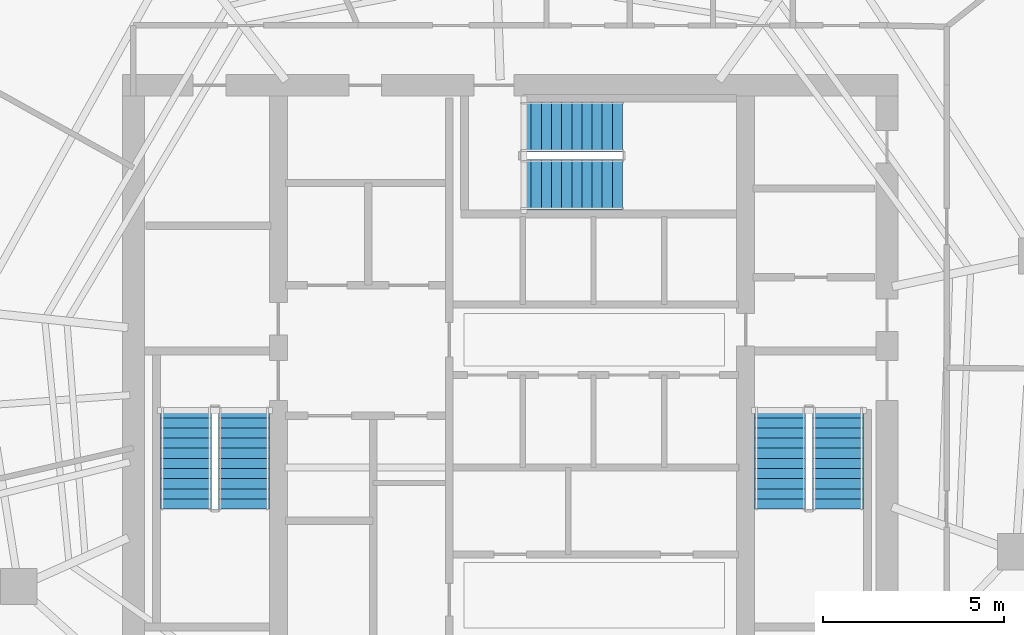
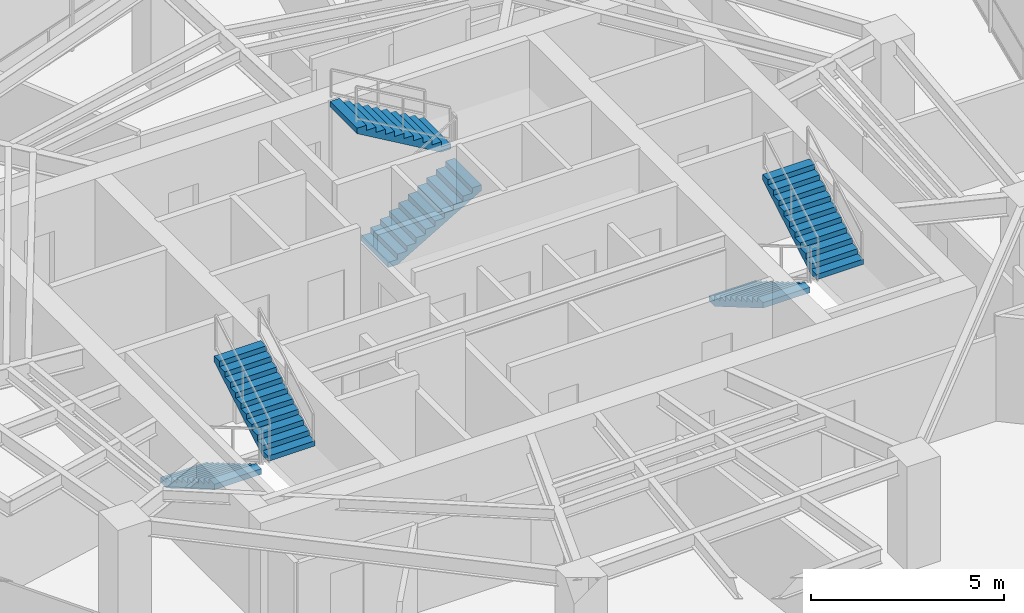
# One storey, part 18 of 20: 6 stair flights, 3 elements without a shape of their own.
"""IFC4 building model written with IfcOpenShell, lengths in metres."""

from ifc_helpers import new_model, si_unit, direction, frame, origin, place, context, subcontext, project, spatial, polyline, outline, extrude, material, type_object, element, aggregate, save


model = new_model("IFC4")

# Units and contexts
model_context = context("Model", 3, precision=1e-05, world=origin(), true_north=direction((0.0, 1.0)))
body_context = subcontext(model_context, "Body", "Model", "MODEL_VIEW")
ifc_project = project(units=[si_unit("LENGTHUNIT", "METRE"), si_unit("AREAUNIT", "SQUARE_METRE"), si_unit("VOLUMEUNIT", "CUBIC_METRE"), si_unit("PLANEANGLEUNIT", "RADIAN"), si_unit("MASSUNIT", "GRAM", prefix="KILO")], contexts=[model_context])

# Site, building, storey
site_placement = place(None, origin())
site = spatial("IfcSite", under=ifc_project, at=site_placement, CompositionType="ELEMENT")
building_placement = place(site_placement, origin())
building = spatial("IfcBuilding", under=site, at=building_placement, Name="Qarnah Convention Tower", CompositionType="ELEMENT")
storey_placement = place(building_placement, frame((0.0, 0.0, 136.5)))
storey = spatial("IfcBuildingStorey", under=building, at=storey_placement, Name="L36", CompositionType="ELEMENT", Elevation=136.5)

# Stair, stair flights
ifc_material = material(Name="Concrete C50/60", Category="concrete")
stair_type = type_object("IfcStairType", Name="STR-OFF", PredefinedType="HALF_TURN_STAIR", material=ifc_material)
stair_1_placement = place(storey_placement, origin())
stair_1 = element("IfcStair", 1, at=stair_1_placement, inside=storey, type_object=stair_type, Name="L36 Core exit stair ST-1", PredefinedType="HALF_TURN_STAIR")
stair_flight_type = type_object("IfcStairFlightType", Name="FLT-OFF", PredefinedType="STRAIGHT", material=ifc_material)
stair_flight_1_placement = place(storey_placement, frame((28.25, 25.300048828125, 0.0), z_axis=(0.0, 0.0, 1.0), x_axis=(0.0, -1.0, 0.0)))
stair_flight_1 = element("IfcStairFlight", 2, at=stair_flight_1_placement, type_object=stair_flight_type, Name="ST-1 flight 1", NumberOfRisers=11, NumberOfTreads=10, PredefinedType="STRAIGHT", RiserHeight=0.163636364, TreadLength=0.28, context=body_context, shape_type="SweptSolid", body=[
    extrude(outline(polyline([(0.0, 0.0), (0.0, 0.16357421875), (0.280029296875, 0.16357421875), (0.280029296875, 0.327392578125), (0.56005859375, 0.327392578125), (0.56005859375, 0.490966796875), (0.840087890625, 0.490966796875), (0.840087890625, 0.654541015625), (1.1201171875, 0.654541015625), (1.1201171875, 0.818115234375), (1.39990234375, 0.818115234375), (1.39990234375, 0.98193359375), (1.679931640625, 0.98193359375), (1.679931640625, 1.1455078125), (1.9599609375, 1.1455078125), (1.9599609375, 1.30908203125), (2.239990234375, 1.30908203125), (2.239990234375, 1.47265625), (2.52001953125, 1.47265625), (2.52001953125, 1.636474609375), (2.800048828125, 1.636474609375), (2.800048828125, 1.800048828125), (2.800048828125, 1.462646484375), (0.297119140625, 0.0), (0.0, 0.0)])), frame((0.0, 0.699951171875, 0.0), z_axis=(0.0, -1.0, 0.0), x_axis=(1.0, 0.0, 0.0)), (0.0, 0.0, 1.0), 1.39990234375),
])
stair_flight_2_placement = place(storey_placement, frame((29.85009765625, 22.5, 1.800048828125), z_axis=(0.0, 0.0, 1.0), x_axis=(0.0, 1.0, 0.0)))
stair_flight_2 = element("IfcStairFlight", 3, at=stair_flight_2_placement, type_object=stair_flight_type, Name="ST-1 flight 2", NumberOfRisers=11, NumberOfTreads=10, PredefinedType="STRAIGHT", RiserHeight=0.163636364, TreadLength=0.28, context=body_context, shape_type="SweptSolid", body=[
    extrude(outline(polyline([(0.0, 0.0), (0.0, 0.16357421875), (0.280029296875, 0.16357421875), (0.280029296875, 0.327392578125), (0.56005859375, 0.327392578125), (0.56005859375, 0.490966796875), (0.840087890625, 0.490966796875), (0.840087890625, 0.654541015625), (1.1201171875, 0.654541015625), (1.1201171875, 0.818115234375), (1.39990234375, 0.818115234375), (1.39990234375, 0.98193359375), (1.679931640625, 0.98193359375), (1.679931640625, 1.1455078125), (1.9599609375, 1.1455078125), (1.9599609375, 1.30908203125), (2.239990234375, 1.30908203125), (2.239990234375, 1.47265625), (2.52001953125, 1.47265625), (2.52001953125, 1.636474609375), (2.800048828125, 1.636474609375), (2.800048828125, 1.800048828125), (2.800048828125, 1.462646484375), (0.297119140625, 0.0), (0.0, 0.0)])), frame((0.0, 0.699951171875, 0.0), z_axis=(0.0, -1.0, 0.0), x_axis=(1.0, 0.0, 0.0)), (0.0, 0.0, 1.0), 1.39990234375),
])
aggregate(stair_1, [stair_flight_1, stair_flight_2])

stair_2_placement = place(storey_placement, origin())
stair_2 = element("IfcStair", 4, at=stair_2_placement, inside=storey, type_object=stair_type, Name="L36 Core exit stair ST-2", PredefinedType="HALF_TURN_STAIR")
stair_flight_3_placement = place(storey_placement, frame((44.64990234375, 25.300048828125, 0.0), z_axis=(0.0, 0.0, 1.0), x_axis=(0.0, -1.0, 0.0)))
stair_flight_3 = element("IfcStairFlight", 5, at=stair_flight_3_placement, type_object=stair_flight_type, Name="ST-2 flight 1", NumberOfRisers=11, NumberOfTreads=10, PredefinedType="STRAIGHT", RiserHeight=0.163636364, TreadLength=0.28, context=body_context, shape_type="SweptSolid", body=[
    extrude(outline(polyline([(0.0, 0.0), (0.0, 0.16357421875), (0.280029296875, 0.16357421875), (0.280029296875, 0.327392578125), (0.56005859375, 0.327392578125), (0.56005859375, 0.490966796875), (0.840087890625, 0.490966796875), (0.840087890625, 0.654541015625), (1.1201171875, 0.654541015625), (1.1201171875, 0.818115234375), (1.39990234375, 0.818115234375), (1.39990234375, 0.98193359375), (1.679931640625, 0.98193359375), (1.679931640625, 1.1455078125), (1.9599609375, 1.1455078125), (1.9599609375, 1.30908203125), (2.239990234375, 1.30908203125), (2.239990234375, 1.47265625), (2.52001953125, 1.47265625), (2.52001953125, 1.636474609375), (2.800048828125, 1.636474609375), (2.800048828125, 1.800048828125), (2.800048828125, 1.462646484375), (0.297119140625, 0.0), (0.0, 0.0)])), frame((0.0, 0.699951171875, 0.0), z_axis=(0.0, -1.0, 0.0), x_axis=(1.0, 0.0, 0.0)), (0.0, 0.0, 1.0), 1.39990234375),
])
stair_flight_4_placement = place(storey_placement, frame((46.25, 22.5, 1.800048828125), z_axis=(0.0, 0.0, 1.0), x_axis=(0.0, 1.0, 0.0)))
stair_flight_4 = element("IfcStairFlight", 6, at=stair_flight_4_placement, type_object=stair_flight_type, Name="ST-2 flight 2", NumberOfRisers=11, NumberOfTreads=10, PredefinedType="STRAIGHT", RiserHeight=0.163636364, TreadLength=0.28, context=body_context, shape_type="SweptSolid", body=[
    extrude(outline(polyline([(0.0, 0.0), (0.0, 0.16357421875), (0.280029296875, 0.16357421875), (0.280029296875, 0.327392578125), (0.56005859375, 0.327392578125), (0.56005859375, 0.490966796875), (0.840087890625, 0.490966796875), (0.840087890625, 0.654541015625), (1.1201171875, 0.654541015625), (1.1201171875, 0.818115234375), (1.39990234375, 0.818115234375), (1.39990234375, 0.98193359375), (1.679931640625, 0.98193359375), (1.679931640625, 1.1455078125), (1.9599609375, 1.1455078125), (1.9599609375, 1.30908203125), (2.239990234375, 1.30908203125), (2.239990234375, 1.47265625), (2.52001953125, 1.47265625), (2.52001953125, 1.636474609375), (2.800048828125, 1.636474609375), (2.800048828125, 1.800048828125), (2.800048828125, 1.462646484375), (0.297119140625, 0.0), (0.0, 0.0)])), frame((0.0, 0.699951171875, 0.0), z_axis=(0.0, -1.0, 0.0), x_axis=(1.0, 0.0, 0.0)), (0.0, 0.0, 1.0), 1.39990234375),
])
aggregate(stair_2, [stair_flight_3, stair_flight_4])

stair_3_placement = place(storey_placement, origin())
stair_3 = element("IfcStair", 7, at=stair_3_placement, inside=storey, type_object=stair_type, Name="L36 Core exit stair ST-3", PredefinedType="HALF_TURN_STAIR")
stair_flight_5_placement = place(storey_placement, frame((37.5, 31.449951171875, 0.0), z_axis=(0.0, 0.0, 1.0), x_axis=(1.0, 0.0, 0.0)))
stair_flight_5 = element("IfcStairFlight", 8, at=stair_flight_5_placement, type_object=stair_flight_type, Name="ST-3 flight 1", NumberOfRisers=11, NumberOfTreads=10, PredefinedType="STRAIGHT", RiserHeight=0.163636364, TreadLength=0.28, context=body_context, shape_type="SweptSolid", body=[
    extrude(outline(polyline([(0.0, 0.0), (0.0, 0.16357421875), (0.280029296875, 0.16357421875), (0.280029296875, 0.327392578125), (0.56005859375, 0.327392578125), (0.56005859375, 0.490966796875), (0.840087890625, 0.490966796875), (0.840087890625, 0.654541015625), (1.1201171875, 0.654541015625), (1.1201171875, 0.818115234375), (1.39990234375, 0.818115234375), (1.39990234375, 0.98193359375), (1.679931640625, 0.98193359375), (1.679931640625, 1.1455078125), (1.9599609375, 1.1455078125), (1.9599609375, 1.30908203125), (2.239990234375, 1.30908203125), (2.239990234375, 1.47265625), (2.52001953125, 1.47265625), (2.52001953125, 1.636474609375), (2.800048828125, 1.636474609375), (2.800048828125, 1.800048828125), (2.800048828125, 1.462646484375), (0.297119140625, 0.0), (0.0, 0.0)])), frame((0.0, 0.699951171875, 0.0), z_axis=(0.0, -1.0, 0.0), x_axis=(1.0, 0.0, 0.0)), (0.0, 0.0, 1.0), 1.39990234375),
])
stair_flight_6_placement = place(storey_placement, frame((40.300048828125, 33.050048828125, 1.800048828125), z_axis=(0.0, 0.0, 1.0), x_axis=(-1.0, 0.0, 0.0)))
stair_flight_6 = element("IfcStairFlight", 9, at=stair_flight_6_placement, type_object=stair_flight_type, Name="ST-3 flight 2", NumberOfRisers=11, NumberOfTreads=10, PredefinedType="STRAIGHT", RiserHeight=0.163636364, TreadLength=0.28, context=body_context, shape_type="SweptSolid", body=[
    extrude(outline(polyline([(0.0, 0.0), (0.0, 0.16357421875), (0.280029296875, 0.16357421875), (0.280029296875, 0.327392578125), (0.56005859375, 0.327392578125), (0.56005859375, 0.490966796875), (0.840087890625, 0.490966796875), (0.840087890625, 0.654541015625), (1.1201171875, 0.654541015625), (1.1201171875, 0.818115234375), (1.39990234375, 0.818115234375), (1.39990234375, 0.98193359375), (1.679931640625, 0.98193359375), (1.679931640625, 1.1455078125), (1.9599609375, 1.1455078125), (1.9599609375, 1.30908203125), (2.239990234375, 1.30908203125), (2.239990234375, 1.47265625), (2.52001953125, 1.47265625), (2.52001953125, 1.636474609375), (2.800048828125, 1.636474609375), (2.800048828125, 1.800048828125), (2.800048828125, 1.462646484375), (0.297119140625, 0.0), (0.0, 0.0)])), frame((0.0, 0.699951171875, 0.0), z_axis=(0.0, -1.0, 0.0), x_axis=(1.0, 0.0, 0.0)), (0.0, 0.0, 1.0), 1.39990234375),
])
aggregate(stair_3, [stair_flight_5, stair_flight_6])

save(model, "model.ifc")
